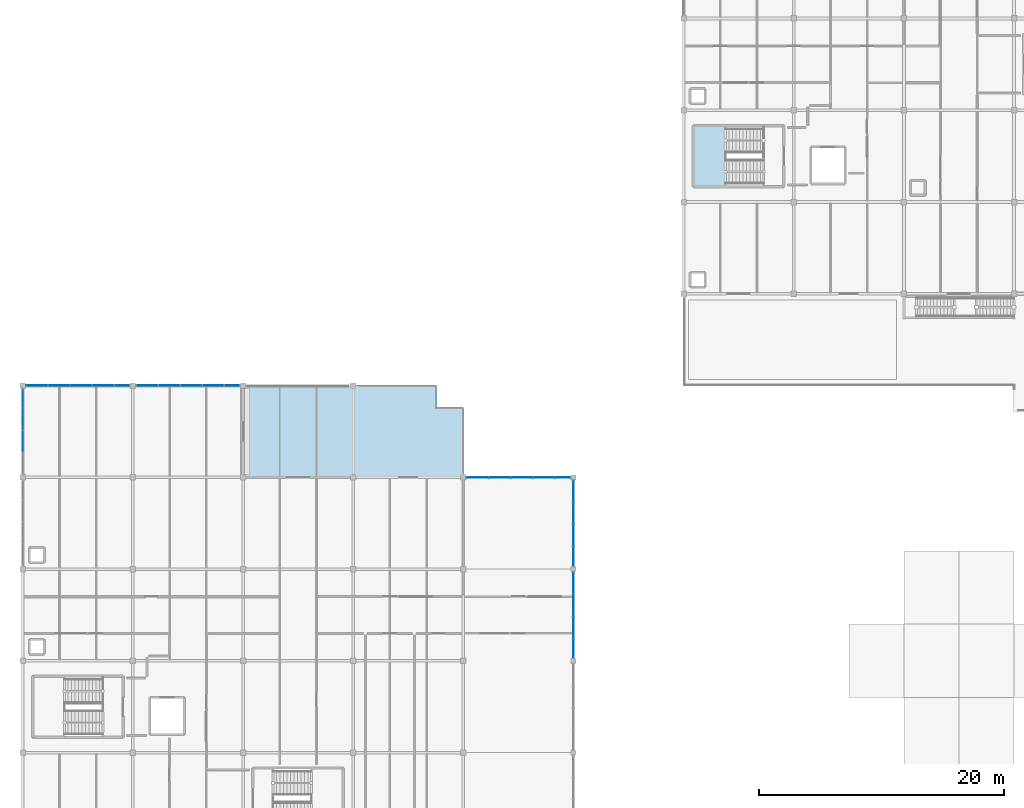
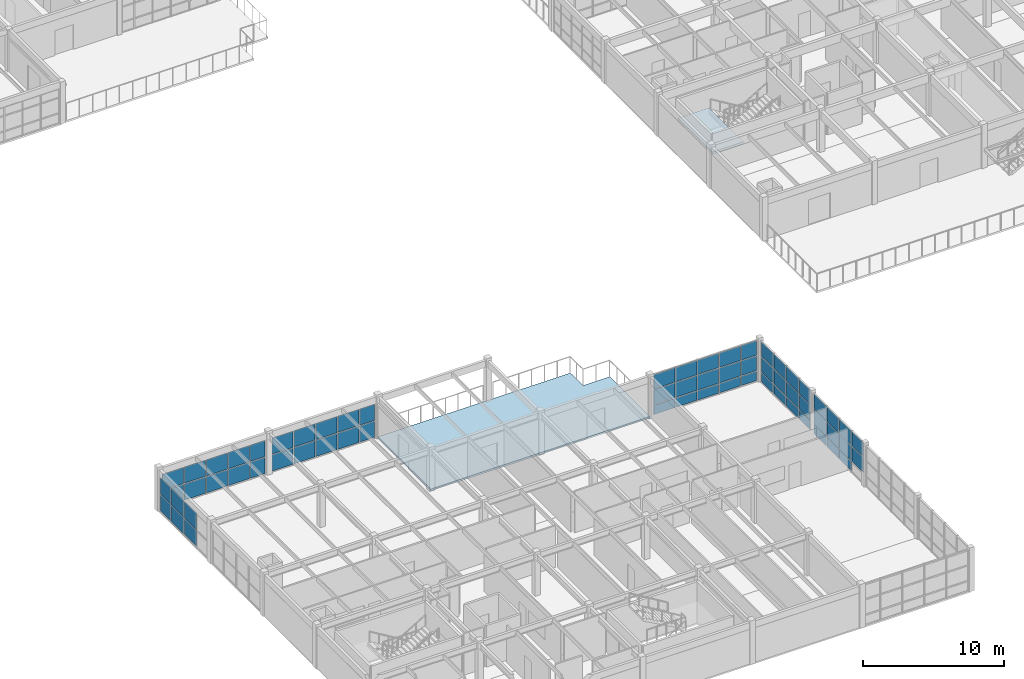
# One storey, part 24 of 45: 64 plates, 2 slabs, 7 elements without a shape of their own.
"""IFC4 building model written with IfcOpenShell, lengths in metres."""

from ifc_helpers import new_model, si_unit, direction, frame, origin, origin_2d, place, context, subcontext, project, spatial, polyline, rectangle, outline, extrude, material, layer, layer_set, type_object, element, aggregate, save


model = new_model("IFC4")

# Units and contexts
model_context = context("Model", 3, precision=1e-05, world=origin(), true_north=direction((0.0, 1.0)))
body_context = subcontext(model_context, "Body", "Model", "MODEL_VIEW")
ifc_project = project(units=[si_unit("LENGTHUNIT", "METRE"), si_unit("AREAUNIT", "SQUARE_METRE"), si_unit("VOLUMEUNIT", "CUBIC_METRE"), si_unit("PLANEANGLEUNIT", "RADIAN"), si_unit("MASSUNIT", "GRAM", prefix="KILO")], contexts=[model_context])

# Site, building, storey
site_placement = place(None, origin())
site = spatial("IfcSite", under=ifc_project, at=site_placement, CompositionType="ELEMENT")
building_placement = place(site_placement, origin())
building = spatial("IfcBuilding", under=site, at=building_placement, Name="Marnridge Secondary College", CompositionType="ELEMENT")
storey_placement = place(building_placement, frame((0.0, 0.0, 12.300048828125)))
storey = spatial("IfcBuildingStorey", under=building, at=storey_placement, Name="L03", CompositionType="ELEMENT", Elevation=12.300048828125)

# Curtain wall, plates
ifc_material_1 = material(Name="Bronze-anodised aluminium and solar-control glazing", Category="aluminium")
ifc_layer_1 = layer(ifc_material_1, 0.199951171875)
ifc_layer_set_1 = layer_set([ifc_layer_1], Name="CW-MOD-1800")
curtain_wall_type = type_object("IfcCurtainWallType", Name="CW-MOD-1800", PredefinedType="NOTDEFINED", material=ifc_layer_set_1)
curtain_wall_1_placement = place(storey_placement, origin())
curtain_wall_1 = element("IfcCurtainWall", 1, at=curtain_wall_1_placement, inside=storey, type_object=curtain_wall_type, Name="Unitised curtain wall CW-L03-127", PredefinedType="NOTDEFINED")
ifc_material_2 = material(Name="Acoustic laminated solar-control double glazing", Category="glass")
ifc_layer_2 = layer(ifc_material_2, 0.035888671875)
ifc_layer_set_2 = layer_set([ifc_layer_2], Name="CWP-GLZ36")
plate_type = type_object("IfcPlateType", Name="CWP-GLZ36", PredefinedType="CURTAIN_PANEL", material=ifc_layer_set_2)
plate_1_placement = place(storey_placement, frame((1.1640625, 37.5, 0.06494140625), z_axis=(0.0, 0.0, 1.0), x_axis=(1.0, 0.0, 0.0)))
plate_1 = element("IfcPlate", 2, at=plate_1_placement, type_object=plate_type, Name="CW-L03-127 panel 1.1", PredefinedType="CURTAIN_PANEL", context=body_context, shape_type="SweptSolid", body=[
    extrude(rectangle(XDim=1.72998046875, YDim=0.035888671875, at=origin_2d()), origin(), (0.0, 0.0, 1.0), 1.401611328125),
])
plate_2_placement = place(storey_placement, frame((1.1640625, 37.5, 1.531494140625), z_axis=(0.0, 0.0, 1.0), x_axis=(1.0, 0.0, 0.0)))
plate_2 = element("IfcPlate", 3, at=plate_2_placement, type_object=plate_type, Name="CW-L03-127 panel 1.2", PredefinedType="CURTAIN_PANEL", context=body_context, shape_type="SweptSolid", body=[
    extrude(rectangle(XDim=1.72998046875, YDim=0.035888671875, at=origin_2d()), origin(), (0.0, 0.0, 1.0), 1.400390625),
])
plate_3_placement = place(storey_placement, frame((2.964111328125, 37.5, 0.06494140625), z_axis=(0.0, 0.0, 1.0), x_axis=(1.0, 0.0, 0.0)))
plate_3 = element("IfcPlate", 4, at=plate_3_placement, type_object=plate_type, Name="CW-L03-127 panel 2.1", PredefinedType="CURTAIN_PANEL", context=body_context, shape_type="SweptSolid", body=[
    extrude(rectangle(XDim=1.72998046875, YDim=0.035888671875, at=origin_2d()), origin(), (0.0, 0.0, 1.0), 1.401611328125),
])
plate_4_placement = place(storey_placement, frame((2.964111328125, 37.5, 1.531494140625), z_axis=(0.0, 0.0, 1.0), x_axis=(1.0, 0.0, 0.0)))
plate_4 = element("IfcPlate", 5, at=plate_4_placement, type_object=plate_type, Name="CW-L03-127 panel 2.2", PredefinedType="CURTAIN_PANEL", context=body_context, shape_type="SweptSolid", body=[
    extrude(rectangle(XDim=1.72998046875, YDim=0.035888671875, at=origin_2d()), origin(), (0.0, 0.0, 1.0), 1.400390625),
])
plate_5_placement = place(storey_placement, frame((4.763916015625, 37.5, 0.06494140625), z_axis=(0.0, 0.0, 1.0), x_axis=(1.0, 0.0, 0.0)))
plate_5 = element("IfcPlate", 6, at=plate_5_placement, type_object=plate_type, Name="CW-L03-127 panel 3.1", PredefinedType="CURTAIN_PANEL", context=body_context, shape_type="SweptSolid", body=[
    extrude(rectangle(XDim=1.72998046875, YDim=0.035888671875, at=origin_2d()), origin(), (0.0, 0.0, 1.0), 1.401611328125),
])
plate_6_placement = place(storey_placement, frame((4.763916015625, 37.5, 1.531494140625), z_axis=(0.0, 0.0, 1.0), x_axis=(1.0, 0.0, 0.0)))
plate_6 = element("IfcPlate", 7, at=plate_6_placement, type_object=plate_type, Name="CW-L03-127 panel 3.2", PredefinedType="CURTAIN_PANEL", context=body_context, shape_type="SweptSolid", body=[
    extrude(rectangle(XDim=1.72998046875, YDim=0.035888671875, at=origin_2d()), origin(), (0.0, 0.0, 1.0), 1.400390625),
])
plate_7_placement = place(storey_placement, frame((6.56396484375, 37.5, 0.06494140625), z_axis=(0.0, 0.0, 1.0), x_axis=(1.0, 0.0, 0.0)))
plate_7 = element("IfcPlate", 8, at=plate_7_placement, type_object=plate_type, Name="CW-L03-127 panel 4.1", PredefinedType="CURTAIN_PANEL", context=body_context, shape_type="SweptSolid", body=[
    extrude(rectangle(XDim=1.72998046875, YDim=0.035888671875, at=origin_2d()), origin(), (0.0, 0.0, 1.0), 1.401611328125),
])
plate_8_placement = place(storey_placement, frame((6.56396484375, 37.5, 1.531494140625), z_axis=(0.0, 0.0, 1.0), x_axis=(1.0, 0.0, 0.0)))
plate_8 = element("IfcPlate", 9, at=plate_8_placement, type_object=plate_type, Name="CW-L03-127 panel 4.2", PredefinedType="CURTAIN_PANEL", context=body_context, shape_type="SweptSolid", body=[
    extrude(rectangle(XDim=1.72998046875, YDim=0.035888671875, at=origin_2d()), origin(), (0.0, 0.0, 1.0), 1.400390625),
])
plate_9_placement = place(storey_placement, frame((8.10009765625, 37.5, 0.06494140625), z_axis=(0.0, 0.0, 1.0), x_axis=(1.0, 0.0, 0.0)))
plate_9 = element("IfcPlate", 10, at=plate_9_placement, type_object=plate_type, Name="CW-L03-127 panel 5.1", PredefinedType="CURTAIN_PANEL", context=body_context, shape_type="SweptSolid", body=[
    extrude(rectangle(XDim=1.201904296875, YDim=0.035888671875, at=origin_2d()), origin(), (0.0, 0.0, 1.0), 1.401611328125),
])
plate_10_placement = place(storey_placement, frame((8.10009765625, 37.5, 1.531494140625), z_axis=(0.0, 0.0, 1.0), x_axis=(1.0, 0.0, 0.0)))
plate_10 = element("IfcPlate", 11, at=plate_10_placement, type_object=plate_type, Name="CW-L03-127 panel 5.2", PredefinedType="CURTAIN_PANEL", context=body_context, shape_type="SweptSolid", body=[
    extrude(rectangle(XDim=1.201904296875, YDim=0.035888671875, at=origin_2d()), origin(), (0.0, 0.0, 1.0), 1.400390625),
])
aggregate(curtain_wall_1, [plate_1, plate_2, plate_3, plate_4, plate_5, plate_6, plate_7, plate_8, plate_9, plate_10])

curtain_wall_2_placement = place(storey_placement, origin())
curtain_wall_2 = element("IfcCurtainWall", 12, at=curtain_wall_2_placement, inside=storey, type_object=curtain_wall_type, Name="Unitised curtain wall CW-L03-128", PredefinedType="NOTDEFINED")
plate_11_placement = place(storey_placement, frame((10.1640625, 37.5, 0.06494140625), z_axis=(0.0, 0.0, 1.0), x_axis=(1.0, 0.0, 0.0)))
plate_11 = element("IfcPlate", 13, at=plate_11_placement, type_object=plate_type, Name="CW-L03-128 panel 1.1", PredefinedType="CURTAIN_PANEL", context=body_context, shape_type="SweptSolid", body=[
    extrude(rectangle(XDim=1.72998046875, YDim=0.035888671875, at=origin_2d()), origin(), (0.0, 0.0, 1.0), 1.401611328125),
])
plate_12_placement = place(storey_placement, frame((10.1640625, 37.5, 1.531494140625), z_axis=(0.0, 0.0, 1.0), x_axis=(1.0, 0.0, 0.0)))
plate_12 = element("IfcPlate", 14, at=plate_12_placement, type_object=plate_type, Name="CW-L03-128 panel 1.2", PredefinedType="CURTAIN_PANEL", context=body_context, shape_type="SweptSolid", body=[
    extrude(rectangle(XDim=1.72998046875, YDim=0.035888671875, at=origin_2d()), origin(), (0.0, 0.0, 1.0), 1.400390625),
])
plate_13_placement = place(storey_placement, frame((11.964111328125, 37.5, 0.06494140625), z_axis=(0.0, 0.0, 1.0), x_axis=(1.0, 0.0, 0.0)))
plate_13 = element("IfcPlate", 15, at=plate_13_placement, type_object=plate_type, Name="CW-L03-128 panel 2.1", PredefinedType="CURTAIN_PANEL", context=body_context, shape_type="SweptSolid", body=[
    extrude(rectangle(XDim=1.72998046875, YDim=0.035888671875, at=origin_2d()), origin(), (0.0, 0.0, 1.0), 1.401611328125),
])
plate_14_placement = place(storey_placement, frame((11.964111328125, 37.5, 1.531494140625), z_axis=(0.0, 0.0, 1.0), x_axis=(1.0, 0.0, 0.0)))
plate_14 = element("IfcPlate", 16, at=plate_14_placement, type_object=plate_type, Name="CW-L03-128 panel 2.2", PredefinedType="CURTAIN_PANEL", context=body_context, shape_type="SweptSolid", body=[
    extrude(rectangle(XDim=1.72998046875, YDim=0.035888671875, at=origin_2d()), origin(), (0.0, 0.0, 1.0), 1.400390625),
])
plate_15_placement = place(storey_placement, frame((13.763916015625, 37.5, 0.06494140625), z_axis=(0.0, 0.0, 1.0), x_axis=(1.0, 0.0, 0.0)))
plate_15 = element("IfcPlate", 17, at=plate_15_placement, type_object=plate_type, Name="CW-L03-128 panel 3.1", PredefinedType="CURTAIN_PANEL", context=body_context, shape_type="SweptSolid", body=[
    extrude(rectangle(XDim=1.72998046875, YDim=0.035888671875, at=origin_2d()), origin(), (0.0, 0.0, 1.0), 1.401611328125),
])
plate_16_placement = place(storey_placement, frame((13.763916015625, 37.5, 1.531494140625), z_axis=(0.0, 0.0, 1.0), x_axis=(1.0, 0.0, 0.0)))
plate_16 = element("IfcPlate", 18, at=plate_16_placement, type_object=plate_type, Name="CW-L03-128 panel 3.2", PredefinedType="CURTAIN_PANEL", context=body_context, shape_type="SweptSolid", body=[
    extrude(rectangle(XDim=1.72998046875, YDim=0.035888671875, at=origin_2d()), origin(), (0.0, 0.0, 1.0), 1.400390625),
])
plate_17_placement = place(storey_placement, frame((15.56396484375, 37.5, 0.06494140625), z_axis=(0.0, 0.0, 1.0), x_axis=(1.0, 0.0, 0.0)))
plate_17 = element("IfcPlate", 19, at=plate_17_placement, type_object=plate_type, Name="CW-L03-128 panel 4.1", PredefinedType="CURTAIN_PANEL", context=body_context, shape_type="SweptSolid", body=[
    extrude(rectangle(XDim=1.72998046875, YDim=0.035888671875, at=origin_2d()), origin(), (0.0, 0.0, 1.0), 1.401611328125),
])
plate_18_placement = place(storey_placement, frame((15.56396484375, 37.5, 1.531494140625), z_axis=(0.0, 0.0, 1.0), x_axis=(1.0, 0.0, 0.0)))
plate_18 = element("IfcPlate", 20, at=plate_18_placement, type_object=plate_type, Name="CW-L03-128 panel 4.2", PredefinedType="CURTAIN_PANEL", context=body_context, shape_type="SweptSolid", body=[
    extrude(rectangle(XDim=1.72998046875, YDim=0.035888671875, at=origin_2d()), origin(), (0.0, 0.0, 1.0), 1.400390625),
])
plate_19_placement = place(storey_placement, frame((17.10009765625, 37.5, 0.06494140625), z_axis=(0.0, 0.0, 1.0), x_axis=(1.0, 0.0, 0.0)))
plate_19 = element("IfcPlate", 21, at=plate_19_placement, type_object=plate_type, Name="CW-L03-128 panel 5.1", PredefinedType="CURTAIN_PANEL", context=body_context, shape_type="SweptSolid", body=[
    extrude(rectangle(XDim=1.201904296875, YDim=0.035888671875, at=origin_2d()), origin(), (0.0, 0.0, 1.0), 1.401611328125),
])
plate_20_placement = place(storey_placement, frame((17.10009765625, 37.5, 1.531494140625), z_axis=(0.0, 0.0, 1.0), x_axis=(1.0, 0.0, 0.0)))
plate_20 = element("IfcPlate", 22, at=plate_20_placement, type_object=plate_type, Name="CW-L03-128 panel 5.2", PredefinedType="CURTAIN_PANEL", context=body_context, shape_type="SweptSolid", body=[
    extrude(rectangle(XDim=1.201904296875, YDim=0.035888671875, at=origin_2d()), origin(), (0.0, 0.0, 1.0), 1.400390625),
])
aggregate(curtain_wall_2, [plate_11, plate_12, plate_13, plate_14, plate_15, plate_16, plate_17, plate_18, plate_19, plate_20])

curtain_wall_3_placement = place(storey_placement, origin())
curtain_wall_3 = element("IfcCurtainWall", 23, at=curtain_wall_3_placement, inside=storey, type_object=curtain_wall_type, Name="Unitised curtain wall CW-L03-129", PredefinedType="NOTDEFINED")
plate_21_placement = place(storey_placement, frame((37.1640625, 30.0, 0.06494140625), z_axis=(0.0, 0.0, 1.0), x_axis=(1.0, 0.0, 0.0)))
plate_21 = element("IfcPlate", 24, at=plate_21_placement, type_object=plate_type, Name="CW-L03-129 panel 1.1", PredefinedType="CURTAIN_PANEL", context=body_context, shape_type="SweptSolid", body=[
    extrude(rectangle(XDim=1.72998046875, YDim=0.035888671875, at=origin_2d()), origin(), (0.0, 0.0, 1.0), 0.802490234375),
])
plate_22_placement = place(storey_placement, frame((37.1640625, 30.0, 0.9326171875), z_axis=(0.0, 0.0, 1.0), x_axis=(1.0, 0.0, 0.0)))
plate_22 = element("IfcPlate", 25, at=plate_22_placement, type_object=plate_type, Name="CW-L03-129 panel 1.2", PredefinedType="CURTAIN_PANEL", context=body_context, shape_type="SweptSolid", body=[
    extrude(rectangle(XDim=1.72998046875, YDim=0.035888671875, at=origin_2d()), origin(), (0.0, 0.0, 1.0), 1.284912109375),
])
plate_23_placement = place(storey_placement, frame((37.1640625, 30.0, 2.28271484375), z_axis=(0.0, 0.0, 1.0), x_axis=(1.0, 0.0, 0.0)))
plate_23 = element("IfcPlate", 26, at=plate_23_placement, type_object=plate_type, Name="CW-L03-129 panel 1.3", PredefinedType="CURTAIN_PANEL", context=body_context, shape_type="SweptSolid", body=[
    extrude(rectangle(XDim=1.72998046875, YDim=0.035888671875, at=origin_2d()), origin(), (0.0, 0.0, 1.0), 1.242431640625),
])
plate_24_placement = place(storey_placement, frame((38.964111328125, 30.0, 0.06494140625), z_axis=(0.0, 0.0, 1.0), x_axis=(1.0, 0.0, 0.0)))
plate_24 = element("IfcPlate", 27, at=plate_24_placement, type_object=plate_type, Name="CW-L03-129 panel 2.1", PredefinedType="CURTAIN_PANEL", context=body_context, shape_type="SweptSolid", body=[
    extrude(rectangle(XDim=1.72998046875, YDim=0.035888671875, at=origin_2d()), origin(), (0.0, 0.0, 1.0), 0.802490234375),
])
plate_25_placement = place(storey_placement, frame((38.964111328125, 30.0, 0.9326171875), z_axis=(0.0, 0.0, 1.0), x_axis=(1.0, 0.0, 0.0)))
plate_25 = element("IfcPlate", 28, at=plate_25_placement, type_object=plate_type, Name="CW-L03-129 panel 2.2", PredefinedType="CURTAIN_PANEL", context=body_context, shape_type="SweptSolid", body=[
    extrude(rectangle(XDim=1.72998046875, YDim=0.035888671875, at=origin_2d()), origin(), (0.0, 0.0, 1.0), 1.284912109375),
])
plate_26_placement = place(storey_placement, frame((38.964111328125, 30.0, 2.28271484375), z_axis=(0.0, 0.0, 1.0), x_axis=(1.0, 0.0, 0.0)))
plate_26 = element("IfcPlate", 29, at=plate_26_placement, type_object=plate_type, Name="CW-L03-129 panel 2.3", PredefinedType="CURTAIN_PANEL", context=body_context, shape_type="SweptSolid", body=[
    extrude(rectangle(XDim=1.72998046875, YDim=0.035888671875, at=origin_2d()), origin(), (0.0, 0.0, 1.0), 1.242431640625),
])
plate_27_placement = place(storey_placement, frame((40.763916015625, 30.0, 0.06494140625), z_axis=(0.0, 0.0, 1.0), x_axis=(1.0, 0.0, 0.0)))
plate_27 = element("IfcPlate", 30, at=plate_27_placement, type_object=plate_type, Name="CW-L03-129 panel 3.1", PredefinedType="CURTAIN_PANEL", context=body_context, shape_type="SweptSolid", body=[
    extrude(rectangle(XDim=1.72998046875, YDim=0.035888671875, at=origin_2d()), origin(), (0.0, 0.0, 1.0), 0.802490234375),
])
plate_28_placement = place(storey_placement, frame((40.763916015625, 30.0, 0.9326171875), z_axis=(0.0, 0.0, 1.0), x_axis=(1.0, 0.0, 0.0)))
plate_28 = element("IfcPlate", 31, at=plate_28_placement, type_object=plate_type, Name="CW-L03-129 panel 3.2", PredefinedType="CURTAIN_PANEL", context=body_context, shape_type="SweptSolid", body=[
    extrude(rectangle(XDim=1.72998046875, YDim=0.035888671875, at=origin_2d()), origin(), (0.0, 0.0, 1.0), 1.284912109375),
])
plate_29_placement = place(storey_placement, frame((40.763916015625, 30.0, 2.28271484375), z_axis=(0.0, 0.0, 1.0), x_axis=(1.0, 0.0, 0.0)))
plate_29 = element("IfcPlate", 32, at=plate_29_placement, type_object=plate_type, Name="CW-L03-129 panel 3.3", PredefinedType="CURTAIN_PANEL", context=body_context, shape_type="SweptSolid", body=[
    extrude(rectangle(XDim=1.72998046875, YDim=0.035888671875, at=origin_2d()), origin(), (0.0, 0.0, 1.0), 1.242431640625),
])
plate_30_placement = place(storey_placement, frame((42.56396484375, 30.0, 0.06494140625), z_axis=(0.0, 0.0, 1.0), x_axis=(1.0, 0.0, 0.0)))
plate_30 = element("IfcPlate", 33, at=plate_30_placement, type_object=plate_type, Name="CW-L03-129 panel 4.1", PredefinedType="CURTAIN_PANEL", context=body_context, shape_type="SweptSolid", body=[
    extrude(rectangle(XDim=1.72998046875, YDim=0.035888671875, at=origin_2d()), origin(), (0.0, 0.0, 1.0), 0.802490234375),
])
plate_31_placement = place(storey_placement, frame((42.56396484375, 30.0, 0.9326171875), z_axis=(0.0, 0.0, 1.0), x_axis=(1.0, 0.0, 0.0)))
plate_31 = element("IfcPlate", 34, at=plate_31_placement, type_object=plate_type, Name="CW-L03-129 panel 4.2", PredefinedType="CURTAIN_PANEL", context=body_context, shape_type="SweptSolid", body=[
    extrude(rectangle(XDim=1.72998046875, YDim=0.035888671875, at=origin_2d()), origin(), (0.0, 0.0, 1.0), 1.284912109375),
])
plate_32_placement = place(storey_placement, frame((42.56396484375, 30.0, 2.28271484375), z_axis=(0.0, 0.0, 1.0), x_axis=(1.0, 0.0, 0.0)))
plate_32 = element("IfcPlate", 35, at=plate_32_placement, type_object=plate_type, Name="CW-L03-129 panel 4.3", PredefinedType="CURTAIN_PANEL", context=body_context, shape_type="SweptSolid", body=[
    extrude(rectangle(XDim=1.72998046875, YDim=0.035888671875, at=origin_2d()), origin(), (0.0, 0.0, 1.0), 1.242431640625),
])
plate_33_placement = place(storey_placement, frame((44.112548828125, 30.0, 0.06494140625), z_axis=(0.0, 0.0, 1.0), x_axis=(1.0, 0.0, 0.0)))
plate_33 = element("IfcPlate", 36, at=plate_33_placement, type_object=plate_type, Name="CW-L03-129 panel 5.1", PredefinedType="CURTAIN_PANEL", context=body_context, shape_type="SweptSolid", body=[
    extrude(rectangle(XDim=1.22705078125, YDim=0.035888671875, at=origin_2d()), origin(), (0.0, 0.0, 1.0), 0.802490234375),
])
plate_34_placement = place(storey_placement, frame((44.112548828125, 30.0, 0.9326171875), z_axis=(0.0, 0.0, 1.0), x_axis=(1.0, 0.0, 0.0)))
plate_34 = element("IfcPlate", 37, at=plate_34_placement, type_object=plate_type, Name="CW-L03-129 panel 5.2", PredefinedType="CURTAIN_PANEL", context=body_context, shape_type="SweptSolid", body=[
    extrude(rectangle(XDim=1.22705078125, YDim=0.035888671875, at=origin_2d()), origin(), (0.0, 0.0, 1.0), 1.284912109375),
])
plate_35_placement = place(storey_placement, frame((44.112548828125, 30.0, 2.28271484375), z_axis=(0.0, 0.0, 1.0), x_axis=(1.0, 0.0, 0.0)))
plate_35 = element("IfcPlate", 38, at=plate_35_placement, type_object=plate_type, Name="CW-L03-129 panel 5.3", PredefinedType="CURTAIN_PANEL", context=body_context, shape_type="SweptSolid", body=[
    extrude(rectangle(XDim=1.22705078125, YDim=0.035888671875, at=origin_2d()), origin(), (0.0, 0.0, 1.0), 1.242431640625),
])
aggregate(curtain_wall_3, [plate_21, plate_22, plate_23, plate_24, plate_25, plate_26, plate_27, plate_28, plate_29, plate_30, plate_31, plate_32, plate_33, plate_34, plate_35])

curtain_wall_4_placement = place(storey_placement, origin())
curtain_wall_4 = element("IfcCurtainWall", 39, at=curtain_wall_4_placement, inside=storey, type_object=curtain_wall_type, Name="Unitised curtain wall CW-L03-130", PredefinedType="NOTDEFINED")
plate_36_placement = place(storey_placement, frame((45.0, 28.861083984375, 0.06494140625), z_axis=(0.0, 0.0, 1.0), x_axis=(0.0, -1.0, 0.0)))
plate_36 = element("IfcPlate", 40, at=plate_36_placement, type_object=plate_type, Name="CW-L03-130 panel 1.1", PredefinedType="CURTAIN_PANEL", context=body_context, shape_type="SweptSolid", body=[
    extrude(rectangle(XDim=1.72998046875, YDim=0.035888671875, at=origin_2d()), origin(), (0.0, 0.0, 1.0), 0.802490234375),
])
plate_37_placement = place(storey_placement, frame((45.0, 28.861083984375, 0.9326171875), z_axis=(0.0, 0.0, 1.0), x_axis=(0.0, -1.0, 0.0)))
plate_37 = element("IfcPlate", 41, at=plate_37_placement, type_object=plate_type, Name="CW-L03-130 panel 1.2", PredefinedType="CURTAIN_PANEL", context=body_context, shape_type="SweptSolid", body=[
    extrude(rectangle(XDim=1.72998046875, YDim=0.035888671875, at=origin_2d()), origin(), (0.0, 0.0, 1.0), 1.284912109375),
])
plate_38_placement = place(storey_placement, frame((45.0, 28.861083984375, 2.28271484375), z_axis=(0.0, 0.0, 1.0), x_axis=(0.0, -1.0, 0.0)))
plate_38 = element("IfcPlate", 42, at=plate_38_placement, type_object=plate_type, Name="CW-L03-130 panel 1.3", PredefinedType="CURTAIN_PANEL", context=body_context, shape_type="SweptSolid", body=[
    extrude(rectangle(XDim=1.72998046875, YDim=0.035888671875, at=origin_2d()), origin(), (0.0, 0.0, 1.0), 1.242431640625),
])
plate_39_placement = place(storey_placement, frame((45.0, 27.06103515625, 0.06494140625), z_axis=(0.0, 0.0, 1.0), x_axis=(0.0, -1.0, 0.0)))
plate_39 = element("IfcPlate", 43, at=plate_39_placement, type_object=plate_type, Name="CW-L03-130 panel 2.1", PredefinedType="CURTAIN_PANEL", context=body_context, shape_type="SweptSolid", body=[
    extrude(rectangle(XDim=1.72998046875, YDim=0.035888671875, at=origin_2d()), origin(), (0.0, 0.0, 1.0), 0.802490234375),
])
plate_40_placement = place(storey_placement, frame((45.0, 27.06103515625, 0.9326171875), z_axis=(0.0, 0.0, 1.0), x_axis=(0.0, -1.0, 0.0)))
plate_40 = element("IfcPlate", 44, at=plate_40_placement, type_object=plate_type, Name="CW-L03-130 panel 2.2", PredefinedType="CURTAIN_PANEL", context=body_context, shape_type="SweptSolid", body=[
    extrude(rectangle(XDim=1.72998046875, YDim=0.035888671875, at=origin_2d()), origin(), (0.0, 0.0, 1.0), 1.284912109375),
])
plate_41_placement = place(storey_placement, frame((45.0, 27.06103515625, 2.28271484375), z_axis=(0.0, 0.0, 1.0), x_axis=(0.0, -1.0, 0.0)))
plate_41 = element("IfcPlate", 45, at=plate_41_placement, type_object=plate_type, Name="CW-L03-130 panel 2.3", PredefinedType="CURTAIN_PANEL", context=body_context, shape_type="SweptSolid", body=[
    extrude(rectangle(XDim=1.72998046875, YDim=0.035888671875, at=origin_2d()), origin(), (0.0, 0.0, 1.0), 1.242431640625),
])
plate_42_placement = place(storey_placement, frame((45.0, 25.260986328125, 0.06494140625), z_axis=(0.0, 0.0, 1.0), x_axis=(0.0, -1.0, 0.0)))
plate_42 = element("IfcPlate", 46, at=plate_42_placement, type_object=plate_type, Name="CW-L03-130 panel 3.1", PredefinedType="CURTAIN_PANEL", context=body_context, shape_type="SweptSolid", body=[
    extrude(rectangle(XDim=1.72998046875, YDim=0.035888671875, at=origin_2d()), origin(), (0.0, 0.0, 1.0), 0.802490234375),
])
plate_43_placement = place(storey_placement, frame((45.0, 25.260986328125, 0.9326171875), z_axis=(0.0, 0.0, 1.0), x_axis=(0.0, -1.0, 0.0)))
plate_43 = element("IfcPlate", 47, at=plate_43_placement, type_object=plate_type, Name="CW-L03-130 panel 3.2", PredefinedType="CURTAIN_PANEL", context=body_context, shape_type="SweptSolid", body=[
    extrude(rectangle(XDim=1.72998046875, YDim=0.035888671875, at=origin_2d()), origin(), (0.0, 0.0, 1.0), 1.284912109375),
])
plate_44_placement = place(storey_placement, frame((45.0, 25.260986328125, 2.28271484375), z_axis=(0.0, 0.0, 1.0), x_axis=(0.0, -1.0, 0.0)))
plate_44 = element("IfcPlate", 48, at=plate_44_placement, type_object=plate_type, Name="CW-L03-130 panel 3.3", PredefinedType="CURTAIN_PANEL", context=body_context, shape_type="SweptSolid", body=[
    extrude(rectangle(XDim=1.72998046875, YDim=0.035888671875, at=origin_2d()), origin(), (0.0, 0.0, 1.0), 1.242431640625),
])
plate_45_placement = place(storey_placement, frame((45.0, 23.550048828125, 0.06494140625), z_axis=(0.0, 0.0, 1.0), x_axis=(0.0, -1.0, 0.0)))
plate_45 = element("IfcPlate", 49, at=plate_45_placement, type_object=plate_type, Name="CW-L03-130 panel 4.1", PredefinedType="CURTAIN_PANEL", context=body_context, shape_type="SweptSolid", body=[
    extrude(rectangle(XDim=1.552001953125, YDim=0.035888671875, at=origin_2d()), origin(), (0.0, 0.0, 1.0), 0.802490234375),
])
plate_46_placement = place(storey_placement, frame((45.0, 23.550048828125, 0.9326171875), z_axis=(0.0, 0.0, 1.0), x_axis=(0.0, -1.0, 0.0)))
plate_46 = element("IfcPlate", 50, at=plate_46_placement, type_object=plate_type, Name="CW-L03-130 panel 4.2", PredefinedType="CURTAIN_PANEL", context=body_context, shape_type="SweptSolid", body=[
    extrude(rectangle(XDim=1.552001953125, YDim=0.035888671875, at=origin_2d()), origin(), (0.0, 0.0, 1.0), 1.284912109375),
])
plate_47_placement = place(storey_placement, frame((45.0, 23.550048828125, 2.28271484375), z_axis=(0.0, 0.0, 1.0), x_axis=(0.0, -1.0, 0.0)))
plate_47 = element("IfcPlate", 51, at=plate_47_placement, type_object=plate_type, Name="CW-L03-130 panel 4.3", PredefinedType="CURTAIN_PANEL", context=body_context, shape_type="SweptSolid", body=[
    extrude(rectangle(XDim=1.552001953125, YDim=0.035888671875, at=origin_2d()), origin(), (0.0, 0.0, 1.0), 1.242431640625),
])
aggregate(curtain_wall_4, [plate_36, plate_37, plate_38, plate_39, plate_40, plate_41, plate_42, plate_43, plate_44, plate_45, plate_46, plate_47])

curtain_wall_5_placement = place(storey_placement, origin())
curtain_wall_5 = element("IfcCurtainWall", 52, at=curtain_wall_5_placement, inside=storey, type_object=curtain_wall_type, Name="Unitised curtain wall CW-L03-131", PredefinedType="NOTDEFINED")
plate_48_placement = place(storey_placement, frame((45.0, 21.361083984375, 0.06494140625), z_axis=(0.0, 0.0, 1.0), x_axis=(0.0, -1.0, 0.0)))
plate_48 = element("IfcPlate", 53, at=plate_48_placement, type_object=plate_type, Name="CW-L03-131 panel 1.1", PredefinedType="CURTAIN_PANEL", context=body_context, shape_type="SweptSolid", body=[
    extrude(rectangle(XDim=1.72998046875, YDim=0.035888671875, at=origin_2d()), origin(), (0.0, 0.0, 1.0), 0.802490234375),
])
plate_49_placement = place(storey_placement, frame((45.0, 21.361083984375, 0.9326171875), z_axis=(0.0, 0.0, 1.0), x_axis=(0.0, -1.0, 0.0)))
plate_49 = element("IfcPlate", 54, at=plate_49_placement, type_object=plate_type, Name="CW-L03-131 panel 1.2", PredefinedType="CURTAIN_PANEL", context=body_context, shape_type="SweptSolid", body=[
    extrude(rectangle(XDim=1.72998046875, YDim=0.035888671875, at=origin_2d()), origin(), (0.0, 0.0, 1.0), 1.284912109375),
])
plate_50_placement = place(storey_placement, frame((45.0, 21.361083984375, 2.28271484375), z_axis=(0.0, 0.0, 1.0), x_axis=(0.0, -1.0, 0.0)))
plate_50 = element("IfcPlate", 55, at=plate_50_placement, type_object=plate_type, Name="CW-L03-131 panel 1.3", PredefinedType="CURTAIN_PANEL", context=body_context, shape_type="SweptSolid", body=[
    extrude(rectangle(XDim=1.72998046875, YDim=0.035888671875, at=origin_2d()), origin(), (0.0, 0.0, 1.0), 1.242431640625),
])
plate_51_placement = place(storey_placement, frame((45.0, 19.56103515625, 0.06494140625), z_axis=(0.0, 0.0, 1.0), x_axis=(0.0, -1.0, 0.0)))
plate_51 = element("IfcPlate", 56, at=plate_51_placement, type_object=plate_type, Name="CW-L03-131 panel 2.1", PredefinedType="CURTAIN_PANEL", context=body_context, shape_type="SweptSolid", body=[
    extrude(rectangle(XDim=1.72998046875, YDim=0.035888671875, at=origin_2d()), origin(), (0.0, 0.0, 1.0), 0.802490234375),
])
plate_52_placement = place(storey_placement, frame((45.0, 19.56103515625, 0.9326171875), z_axis=(0.0, 0.0, 1.0), x_axis=(0.0, -1.0, 0.0)))
plate_52 = element("IfcPlate", 57, at=plate_52_placement, type_object=plate_type, Name="CW-L03-131 panel 2.2", PredefinedType="CURTAIN_PANEL", context=body_context, shape_type="SweptSolid", body=[
    extrude(rectangle(XDim=1.72998046875, YDim=0.035888671875, at=origin_2d()), origin(), (0.0, 0.0, 1.0), 1.284912109375),
])
plate_53_placement = place(storey_placement, frame((45.0, 19.56103515625, 2.28271484375), z_axis=(0.0, 0.0, 1.0), x_axis=(0.0, -1.0, 0.0)))
plate_53 = element("IfcPlate", 58, at=plate_53_placement, type_object=plate_type, Name="CW-L03-131 panel 2.3", PredefinedType="CURTAIN_PANEL", context=body_context, shape_type="SweptSolid", body=[
    extrude(rectangle(XDim=1.72998046875, YDim=0.035888671875, at=origin_2d()), origin(), (0.0, 0.0, 1.0), 1.242431640625),
])
plate_54_placement = place(storey_placement, frame((45.0, 17.760986328125, 0.06494140625), z_axis=(0.0, 0.0, 1.0), x_axis=(0.0, -1.0, 0.0)))
plate_54 = element("IfcPlate", 59, at=plate_54_placement, type_object=plate_type, Name="CW-L03-131 panel 3.1", PredefinedType="CURTAIN_PANEL", context=body_context, shape_type="SweptSolid", body=[
    extrude(rectangle(XDim=1.72998046875, YDim=0.035888671875, at=origin_2d()), origin(), (0.0, 0.0, 1.0), 0.802490234375),
])
plate_55_placement = place(storey_placement, frame((45.0, 17.760986328125, 0.9326171875), z_axis=(0.0, 0.0, 1.0), x_axis=(0.0, -1.0, 0.0)))
plate_55 = element("IfcPlate", 60, at=plate_55_placement, type_object=plate_type, Name="CW-L03-131 panel 3.2", PredefinedType="CURTAIN_PANEL", context=body_context, shape_type="SweptSolid", body=[
    extrude(rectangle(XDim=1.72998046875, YDim=0.035888671875, at=origin_2d()), origin(), (0.0, 0.0, 1.0), 1.284912109375),
])
plate_56_placement = place(storey_placement, frame((45.0, 17.760986328125, 2.28271484375), z_axis=(0.0, 0.0, 1.0), x_axis=(0.0, -1.0, 0.0)))
plate_56 = element("IfcPlate", 61, at=plate_56_placement, type_object=plate_type, Name="CW-L03-131 panel 3.3", PredefinedType="CURTAIN_PANEL", context=body_context, shape_type="SweptSolid", body=[
    extrude(rectangle(XDim=1.72998046875, YDim=0.035888671875, at=origin_2d()), origin(), (0.0, 0.0, 1.0), 1.242431640625),
])
plate_57_placement = place(storey_placement, frame((45.0, 16.050048828125, 0.9326171875), z_axis=(0.0, 0.0, 1.0), x_axis=(0.0, -1.0, 0.0)))
plate_57 = element("IfcPlate", 62, at=plate_57_placement, type_object=plate_type, Name="CW-L03-131 panel 4.2", PredefinedType="CURTAIN_PANEL", context=body_context, shape_type="SweptSolid", body=[
    extrude(rectangle(XDim=1.552001953125, YDim=0.035888671875, at=origin_2d()), origin(), (0.0, 0.0, 1.0), 1.284912109375),
])
plate_58_placement = place(storey_placement, frame((45.0, 16.050048828125, 2.28271484375), z_axis=(0.0, 0.0, 1.0), x_axis=(0.0, -1.0, 0.0)))
plate_58 = element("IfcPlate", 63, at=plate_58_placement, type_object=plate_type, Name="CW-L03-131 panel 4.3", PredefinedType="CURTAIN_PANEL", context=body_context, shape_type="SweptSolid", body=[
    extrude(rectangle(XDim=1.552001953125, YDim=0.035888671875, at=origin_2d()), origin(), (0.0, 0.0, 1.0), 1.242431640625),
])
aggregate(curtain_wall_5, [plate_48, plate_49, plate_50, plate_51, plate_52, plate_53, plate_54, plate_55, plate_56, plate_57, plate_58])

curtain_wall_6_placement = place(storey_placement, origin())
curtain_wall_6 = element("IfcCurtainWall", 64, at=curtain_wall_6_placement, inside=storey, type_object=curtain_wall_type, Name="Unitised curtain wall CW-L03-137", PredefinedType="NOTDEFINED")
plate_59_placement = place(storey_placement, frame((0.0, 32.964111328125, 0.06494140625), z_axis=(0.0, 0.0, 1.0), x_axis=(0.0, 1.0, 0.0)))
plate_59 = element("IfcPlate", 65, at=plate_59_placement, type_object=plate_type, Name="CW-L03-137 panel 2.1", PredefinedType="CURTAIN_PANEL", context=body_context, shape_type="SweptSolid", body=[
    extrude(rectangle(XDim=1.72998046875, YDim=0.035888671875, at=origin_2d()), origin(), (0.0, 0.0, 1.0), 1.401611328125),
])
plate_60_placement = place(storey_placement, frame((0.0, 32.964111328125, 1.531494140625), z_axis=(0.0, 0.0, 1.0), x_axis=(0.0, 1.0, 0.0)))
plate_60 = element("IfcPlate", 66, at=plate_60_placement, type_object=plate_type, Name="CW-L03-137 panel 2.2", PredefinedType="CURTAIN_PANEL", context=body_context, shape_type="SweptSolid", body=[
    extrude(rectangle(XDim=1.72998046875, YDim=0.035888671875, at=origin_2d()), origin(), (0.0, 0.0, 1.0), 1.400390625),
])
plate_61_placement = place(storey_placement, frame((0.0, 34.763916015625, 0.06494140625), z_axis=(0.0, 0.0, 1.0), x_axis=(0.0, 1.0, 0.0)))
plate_61 = element("IfcPlate", 67, at=plate_61_placement, type_object=plate_type, Name="CW-L03-137 panel 3.1", PredefinedType="CURTAIN_PANEL", context=body_context, shape_type="SweptSolid", body=[
    extrude(rectangle(XDim=1.72998046875, YDim=0.035888671875, at=origin_2d()), origin(), (0.0, 0.0, 1.0), 1.401611328125),
])
plate_62_placement = place(storey_placement, frame((0.0, 34.763916015625, 1.531494140625), z_axis=(0.0, 0.0, 1.0), x_axis=(0.0, 1.0, 0.0)))
plate_62 = element("IfcPlate", 68, at=plate_62_placement, type_object=plate_type, Name="CW-L03-137 panel 3.2", PredefinedType="CURTAIN_PANEL", context=body_context, shape_type="SweptSolid", body=[
    extrude(rectangle(XDim=1.72998046875, YDim=0.035888671875, at=origin_2d()), origin(), (0.0, 0.0, 1.0), 1.400390625),
])
plate_63_placement = place(storey_placement, frame((0.0, 36.449951171875, 0.06494140625), z_axis=(0.0, 0.0, 1.0), x_axis=(0.0, 1.0, 0.0)))
plate_63 = element("IfcPlate", 69, at=plate_63_placement, type_object=plate_type, Name="CW-L03-137 panel 4.1", PredefinedType="CURTAIN_PANEL", context=body_context, shape_type="SweptSolid", body=[
    extrude(rectangle(XDim=1.501953125, YDim=0.035888671875, at=origin_2d()), origin(), (0.0, 0.0, 1.0), 1.401611328125),
])
plate_64_placement = place(storey_placement, frame((0.0, 36.449951171875, 1.531494140625), z_axis=(0.0, 0.0, 1.0), x_axis=(0.0, 1.0, 0.0)))
plate_64 = element("IfcPlate", 70, at=plate_64_placement, type_object=plate_type, Name="CW-L03-137 panel 4.2", PredefinedType="CURTAIN_PANEL", context=body_context, shape_type="SweptSolid", body=[
    extrude(rectangle(XDim=1.501953125, YDim=0.035888671875, at=origin_2d()), origin(), (0.0, 0.0, 1.0), 1.400390625),
])
aggregate(curtain_wall_6, [plate_59, plate_60, plate_61, plate_62, plate_63, plate_64])

# Slab
ifc_material_3 = material(Name="Cross-laminated timber CL5", Category="wood")
ifc_layer_3 = layer(ifc_material_3, 0.159912109375)
ifc_layer_set_3 = layer_set([ifc_layer_3], Name="SL-DECK-160")
slab_type_1 = type_object("IfcSlabType", Name="SL-DECK-160", PredefinedType="ROOF", material=ifc_layer_set_3)
slab_1_placement = place(storey_placement, frame((0.0, 0.0, -0.16015625)))
element("IfcSlab", 71, at=slab_1_placement, inside=storey, type_object=slab_type_1, Name="External deck slab SL-L03-060", PredefinedType="ROOF", context=body_context, shape_type="SweptSolid", body=[
    extrude(outline(polyline([(18.0, 30.0), (36.0, 30.0), (36.0, 35.699951171875), (33.800048828125, 35.699951171875), (33.800048828125, 37.5), (18.0, 37.5), (18.0, 30.0)])), origin(), (0.0, 0.0, 1.0), 0.16015625),
])

# Stair, slab
ifc_material_4 = material(Name="Concrete C40/50 (AS 3600 N40, 40 MPa)", Category="concrete")
stair_type = type_object("IfcStairType", Name="STC1", PredefinedType="HALF_TURN_STAIR", material=ifc_material_4)
stair_placement = place(storey_placement, origin())
stair = element("IfcStair", 72, at=stair_placement, inside=storey, type_object=stair_type, Name="Fire-isolated stair ST-01-L03", PredefinedType="HALF_TURN_STAIR")
ifc_material_5 = material(Name="Concrete C40/50 (AS 3600 N40, 40 MPa)", Category="concrete")
ifc_layer_4 = layer(ifc_material_5, 0.199951171875)
ifc_layer_set_4 = layer_set([ifc_layer_4], Name="SL-LAND-200")
slab_type_2 = type_object("IfcSlabType", Name="SL-LAND-200", PredefinedType="LANDING", material=ifc_layer_set_4)
slab_2_placement = place(storey_placement, frame((0.0, 0.0, 1.699951171875)))
slab_2 = element("IfcSlab", 73, at=slab_2_placement, type_object=slab_type_2, Name="ST-01-L03 landing 1", PredefinedType="LANDING", context=body_context, shape_type="SweptSolid", body=[
    extrude(outline(polyline([(54.860107421875, 53.81005859375), (57.4150390625, 53.81005859375), (57.4150390625, 58.68994140625), (54.860107421875, 58.68994140625), (54.860107421875, 53.81005859375)])), origin(), (0.0, 0.0, 1.0), 0.199951171875),
])
aggregate(stair, [slab_2])

save(model, "model.ifc")
